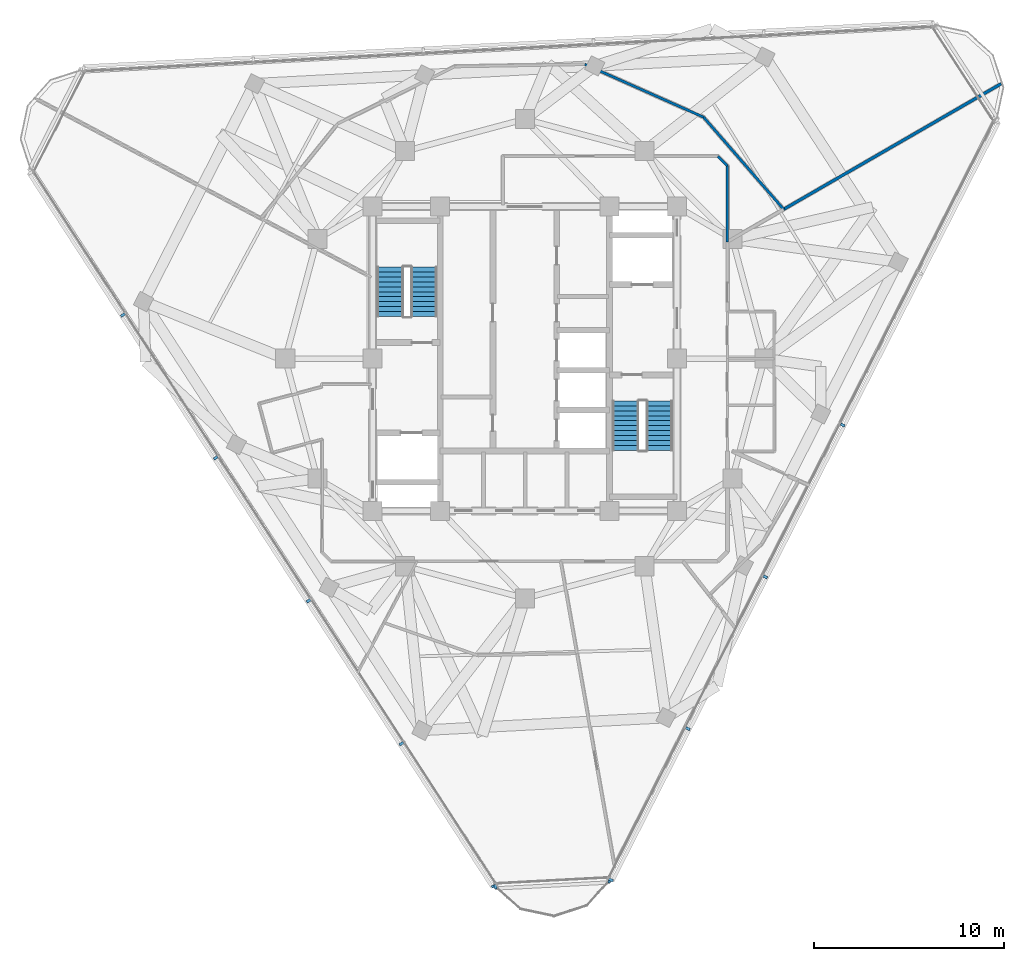
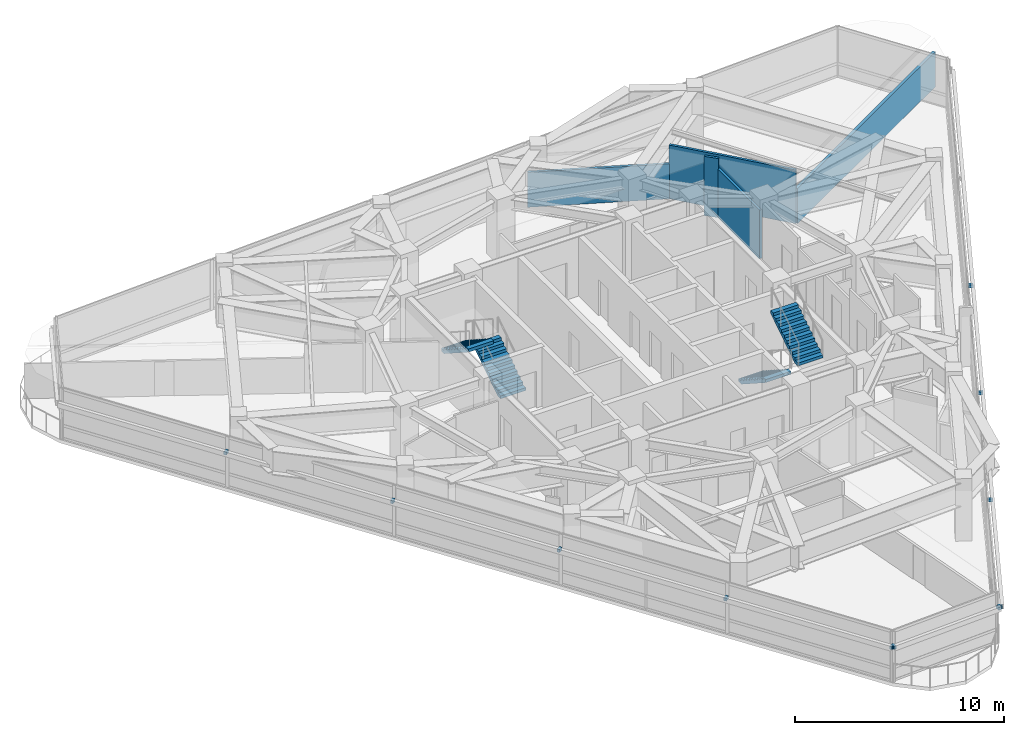
# One storey, part 10 of 15: 11 discrete accessories, 5 walls, 4 stair flights, 2 elements without a shape of their own.
"""IFC4 building model written with IfcOpenShell, lengths in metres."""

from ifc_helpers import new_model, si_unit, direction, frame, frame_2d, origin, origin_2d, place, context, subcontext, project, spatial, polyline, rectangle, outline, extrude, material, layer, layer_set, type_object, element, aggregate, save


model = new_model("IFC4")

# Units and contexts
model_context = context("Model", 3, precision=1e-05, world=origin(), true_north=direction((0.0, 1.0)))
body_context = subcontext(model_context, "Body", "Model", "MODEL_VIEW")
ifc_project = project(units=[si_unit("LENGTHUNIT", "METRE"), si_unit("AREAUNIT", "SQUARE_METRE"), si_unit("VOLUMEUNIT", "CUBIC_METRE"), si_unit("PLANEANGLEUNIT", "RADIAN"), si_unit("MASSUNIT", "GRAM", prefix="KILO")], contexts=[model_context])

# Site, building, storey
site_placement = place(None, origin())
site = spatial("IfcSite", under=ifc_project, at=site_placement, CompositionType="ELEMENT")
building_placement = place(site_placement, origin())
building = spatial("IfcBuilding", under=site, at=building_placement, Name="Terralouvre Media Tower", CompositionType="ELEMENT")
storey_placement = place(building_placement, frame((0.0, 0.0, 274.39990234375)))
storey = spatial("IfcBuildingStorey", under=building, at=storey_placement, Name="L71", CompositionType="ELEMENT", Elevation=274.39990234375)

# Walls
ifc_material_1 = material(Name="Fire-rated gypsum board drywall partition")
ifc_layer_1 = layer(ifc_material_1, 0.135009765625, Name="Newsroom Acoustic Partition PT-135")
ifc_layer_set_1 = layer_set([ifc_layer_1], Name="Fire-rated gypsum board drywall partition")
wall_type_1 = type_object("IfcWallType", Name="Newsroom Acoustic Partition PT-135", PredefinedType="PARTITIONING", material=ifc_layer_set_1)
wall_1_placement = place(storey_placement, frame((10.64990234375, 6.14892578125, 0.0), z_axis=(0.0, 0.0, 1.0), x_axis=(0.0, 1.0, 0.0)))
element("IfcWall", 1, at=wall_1_placement, inside=storey, type_object=wall_type_1, Name="L71 Interior Partition 017", PredefinedType="PARTITIONING", context=body_context, shape_type="SweptSolid", body=[
    extrude(rectangle(XDim=4.0009765625, YDim=0.135009765625, at=frame_2d((2.00048828125, 0.0))), origin(), (0.0, 0.0, 1.0), 2.84521484375),
])
wall_2_placement = place(storey_placement, frame((10.64990234375, 10.14990234375, 0.0), z_axis=(0.0, 0.0, 1.0), x_axis=(-0.707106781187, 0.707106781187, 0.0)))
element("IfcWall", 2, at=wall_2_placement, inside=storey, type_object=wall_type_1, Name="L71 Interior Partition 018", PredefinedType="PARTITIONING", context=body_context, shape_type="SweptSolid", body=[
    extrude(rectangle(XDim=0.70703125, YDim=0.135009765625, at=frame_2d((0.353515625, 0.0))), origin(), (0.0, 0.0, 1.0), 3.460205078125),
])
wall_3_placement = place(storey_placement, frame((3.14990234375, 15.48291015625, 0.0), z_axis=(0.0, 0.0, 1.0), x_axis=(0.913536073518, -0.406757719511, 0.0)))
element("IfcWall", 3, at=wall_3_placement, inside=storey, type_object=wall_type_1, Name="L71 Interior Partition 047", PredefinedType="PARTITIONING", context=body_context, shape_type="SweptSolid", body=[
    extrude(rectangle(XDim=6.83935546875, YDim=0.135009765625, at=frame_2d((3.419677734375, 0.0))), origin(), (0.0, 0.0, 1.0), 2.045166015625),
])
wall_4_placement = place(storey_placement, frame((9.39794921875, 12.700927734375, 0.0), z_axis=(0.0, 0.0, 1.0), x_axis=(0.656069468174, -0.754700505452, 0.0)))
element("IfcWall", 4, at=wall_4_placement, inside=storey, type_object=wall_type_1, Name="L71 Interior Partition 048", PredefinedType="PARTITIONING", context=body_context, shape_type="SweptSolid", body=[
    extrude(rectangle(XDim=6.41845703125, YDim=0.135009765625, at=frame_2d((3.209228515625, 0.0))), origin(), (0.0, 0.0, 1.0), 3.14501953125),
])
ifc_material_2 = material(Name="Fire-rated gypsum board drywall partition")
ifc_layer_2 = layer(ifc_material_2, 0.159912109375, Name="Studio Acoustic Rated Partition PT-160")
ifc_layer_set_2 = layer_set([ifc_layer_2], Name="Fire-rated gypsum board drywall partition")
wall_type_2 = type_object("IfcWallType", Name="Studio Acoustic Rated Partition PT-160", PredefinedType="PARTITIONING", material=ifc_layer_set_2)
wall_5_placement = place(storey_placement, frame((25.04248046875, 14.45849609375, 0.0), z_axis=(0.0, 0.0, 1.0), x_axis=(-0.866013134896, -0.500021249735, 0.0)))
element("IfcWall", 5, at=wall_5_placement, inside=storey, type_object=wall_type_2, Name="L71 Interior Partition 042", PredefinedType="PARTITIONING", context=body_context, shape_type="SweptSolid", body=[
    extrude(rectangle(XDim=13.20263671875, YDim=0.159912109375, at=frame_2d((6.601318359375, 0.0))), origin(), (0.0, 0.0, 1.0), 2.045166015625),
])

# Stair, stair flights
ifc_material_3 = material(Name="Concrete C45/55", Category="concrete")
stair_type_1 = type_object("IfcStairType", Name="Dogleg Stair Assembly ST-01", PredefinedType="HALF_TURN_STAIR", material=ifc_material_3)
stair_1_placement = place(storey_placement, origin())
stair_1 = element("IfcStair", 6, at=stair_1_placement, inside=storey, type_object=stair_type_1, Name="L71 Core Pressurised Exit Stair ST-01", PredefinedType="HALF_TURN_STAIR")
ifc_material_4 = material(Name="Concrete C45/55", Category="concrete")
stair_flight_type = type_object("IfcStairFlightType", Name="Reinforced Concrete Stair Flight SF-RC1", PredefinedType="STRAIGHT", material=ifc_material_4)
stair_flight_1_placement = place(storey_placement, frame((-5.300048828125, 2.219970703125, 0.0), z_axis=(0.0, 0.0, 1.0), x_axis=(0.0, 1.0, 0.0)))
stair_flight_1 = element("IfcStairFlight", 7, at=stair_flight_1_placement, type_object=stair_flight_type, Name="ST-01 flight 1", NumberOfRisers=11, NumberOfTreads=10, PredefinedType="STRAIGHT", RiserHeight=0.168181818, TreadLength=0.26, context=body_context, shape_type="SweptSolid", body=[
    extrude(outline(polyline([(0.0, 0.0), (0.0, 0.168212890625), (0.260009765625, 0.168212890625), (0.260009765625, 0.33642578125), (0.52001953125, 0.33642578125), (0.52001953125, 0.504638671875), (0.780029296875, 0.504638671875), (0.780029296875, 0.672607421875), (1.0400390625, 0.672607421875), (1.0400390625, 0.8408203125), (1.300048828125, 0.8408203125), (1.300048828125, 1.009033203125), (1.56005859375, 1.009033203125), (1.56005859375, 1.17724609375), (1.820068359375, 1.17724609375), (1.820068359375, 1.345458984375), (2.080078125, 1.345458984375), (2.080078125, 1.513671875), (2.340087890625, 1.513671875), (2.340087890625, 1.681884765625), (2.60009765625, 1.681884765625), (2.60009765625, 1.85009765625), (2.60009765625, 1.503173828125), (0.27587890625, 0.0), (0.0, 0.0)])), frame((0.0, 0.699951171875, 0.0), z_axis=(0.0, -1.0, 0.0), x_axis=(1.0, 0.0, 0.0)), (0.0, 0.0, 1.0), 1.39990234375),
])
stair_flight_2_placement = place(storey_placement, frame((-7.080078125, 4.820068359375, 1.85009765625), z_axis=(0.0, 0.0, 1.0), x_axis=(0.0, -1.0, 0.0)))
stair_flight_2 = element("IfcStairFlight", 8, at=stair_flight_2_placement, type_object=stair_flight_type, Name="ST-01 flight 2", NumberOfRisers=11, NumberOfTreads=10, PredefinedType="STRAIGHT", RiserHeight=0.168181818, TreadLength=0.26, context=body_context, shape_type="SweptSolid", body=[
    extrude(outline(polyline([(0.0, 0.0), (0.0, 0.168212890625), (0.260009765625, 0.168212890625), (0.260009765625, 0.33642578125), (0.52001953125, 0.33642578125), (0.52001953125, 0.504638671875), (0.780029296875, 0.504638671875), (0.780029296875, 0.672607421875), (1.0400390625, 0.672607421875), (1.0400390625, 0.8408203125), (1.300048828125, 0.8408203125), (1.300048828125, 1.009033203125), (1.56005859375, 1.009033203125), (1.56005859375, 1.17724609375), (1.820068359375, 1.17724609375), (1.820068359375, 1.345458984375), (2.080078125, 1.345458984375), (2.080078125, 1.513671875), (2.340087890625, 1.513671875), (2.340087890625, 1.681884765625), (2.60009765625, 1.681884765625), (2.60009765625, 1.85009765625), (2.60009765625, 1.503173828125), (0.27587890625, 0.0), (0.0, 0.0)])), frame((0.0, 0.699951171875, 0.0), z_axis=(0.0, -1.0, 0.0), x_axis=(1.0, 0.0, 0.0)), (0.0, 0.0, 1.0), 1.39990234375),
])
aggregate(stair_1, [stair_flight_1, stair_flight_2])

ifc_material_5 = material(Name="Concrete C45/55", Category="concrete")
stair_type_2 = type_object("IfcStairType", Name="Dogleg Stair Assembly ST-02", PredefinedType="HALF_TURN_STAIR", material=ifc_material_5)
stair_2_placement = place(storey_placement, origin())
stair_2 = element("IfcStair", 9, at=stair_2_placement, inside=storey, type_object=stair_type_2, Name="L71 Core Pressurised Exit Stair ST-02", PredefinedType="HALF_TURN_STAIR")
stair_flight_3_placement = place(storey_placement, frame((5.300048828125, -2.219970703125, 0.0), z_axis=(0.0, 0.0, 1.0), x_axis=(0.0, -1.0, 0.0)))
stair_flight_3 = element("IfcStairFlight", 10, at=stair_flight_3_placement, type_object=stair_flight_type, Name="ST-02 flight 1", NumberOfRisers=11, NumberOfTreads=10, PredefinedType="STRAIGHT", RiserHeight=0.168181818, TreadLength=0.26, context=body_context, shape_type="SweptSolid", body=[
    extrude(outline(polyline([(0.0, 0.0), (0.0, 0.168212890625), (0.260009765625, 0.168212890625), (0.260009765625, 0.33642578125), (0.52001953125, 0.33642578125), (0.52001953125, 0.504638671875), (0.780029296875, 0.504638671875), (0.780029296875, 0.672607421875), (1.0400390625, 0.672607421875), (1.0400390625, 0.8408203125), (1.300048828125, 0.8408203125), (1.300048828125, 1.009033203125), (1.56005859375, 1.009033203125), (1.56005859375, 1.17724609375), (1.820068359375, 1.17724609375), (1.820068359375, 1.345458984375), (2.080078125, 1.345458984375), (2.080078125, 1.513671875), (2.340087890625, 1.513671875), (2.340087890625, 1.681884765625), (2.60009765625, 1.681884765625), (2.60009765625, 1.85009765625), (2.60009765625, 1.503173828125), (0.27587890625, 0.0), (0.0, 0.0)])), frame((0.0, 0.699951171875, 0.0), z_axis=(0.0, -1.0, 0.0), x_axis=(1.0, 0.0, 0.0)), (0.0, 0.0, 1.0), 1.39990234375),
])
stair_flight_4_placement = place(storey_placement, frame((7.080078125, -4.820068359375, 1.85009765625), z_axis=(0.0, 0.0, 1.0), x_axis=(0.0, 1.0, 0.0)))
stair_flight_4 = element("IfcStairFlight", 11, at=stair_flight_4_placement, type_object=stair_flight_type, Name="ST-02 flight 2", NumberOfRisers=11, NumberOfTreads=10, PredefinedType="STRAIGHT", RiserHeight=0.168181818, TreadLength=0.26, context=body_context, shape_type="SweptSolid", body=[
    extrude(outline(polyline([(0.0, 0.0), (0.0, 0.168212890625), (0.260009765625, 0.168212890625), (0.260009765625, 0.33642578125), (0.52001953125, 0.33642578125), (0.52001953125, 0.504638671875), (0.780029296875, 0.504638671875), (0.780029296875, 0.672607421875), (1.0400390625, 0.672607421875), (1.0400390625, 0.8408203125), (1.300048828125, 0.8408203125), (1.300048828125, 1.009033203125), (1.56005859375, 1.009033203125), (1.56005859375, 1.17724609375), (1.820068359375, 1.17724609375), (1.820068359375, 1.345458984375), (2.080078125, 1.345458984375), (2.080078125, 1.513671875), (2.340087890625, 1.513671875), (2.340087890625, 1.681884765625), (2.60009765625, 1.681884765625), (2.60009765625, 1.85009765625), (2.60009765625, 1.503173828125), (0.27587890625, 0.0), (0.0, 0.0)])), frame((0.0, 0.699951171875, 0.0), z_axis=(0.0, -1.0, 0.0), x_axis=(1.0, 0.0, 0.0)), (0.0, 0.0, 1.0), 1.39990234375),
])
aggregate(stair_2, [stair_flight_3, stair_flight_4])

# Discrete accessories
ifc_material_6 = material(Name="Anodised extruded aluminium 6063-T6", Category="aluminium")
discrete_accessory_type = type_object("IfcDiscreteAccessoryType", Name="Mullion Stand-Off Baguette Fixing Bracket BK-01", PredefinedType="BRACKET", material=ifc_material_6)
for number, where, z_axis, x_axis, name in (
    (12, (4.52490234375, -27.403564453125, 2.04931640625), (0.0, 0.0, 1.0), (0.45399044259, 0.891006553308, 0.0), "CW-L71-F0 Baguette Outrigger Bracket 1.01"),
    (13, (8.57568359375, -19.45361328125, 2.04931640625), (0.0, 0.0, 1.0), (0.45399044259, 0.891006553308, 0.0), "CW-L71-F0 Baguette Outrigger Bracket 1.02"),
    (14, (12.643310546875, -11.47021484375, 2.04931640625), (0.0, 0.0, 1.0), (0.45399044259, 0.891006553308, 0.0), "CW-L71-F0 Baguette Outrigger Bracket 1.03"),
    (15, (16.711181640625, -3.48681640625, 2.04931640625), (0.0, 0.0, 1.0), (0.45399044259, 0.891006553308, 0.0), "CW-L71-F0 Baguette Outrigger Bracket 1.04"),
    (16, (-21.135009765625, 2.300048828125, 2.04931640625), (0.0, 0.0, 1.0), (0.544639069077, -0.838670545826, 0.0), "CW-L71-F2 Baguette Outrigger Bracket 1.02"),
    (17, (-16.255126953125, -5.21435546875, 2.04931640625), (0.0, 0.0, 1.0), (0.544639069077, -0.838670545826, 0.0), "CW-L71-F2 Baguette Outrigger Bracket 1.03"),
    (18, (-11.375244140625, -12.72900390625, 2.04931640625), (0.0, 0.0, 1.0), (0.544639069077, -0.838670545826, 0.0), "CW-L71-F2 Baguette Outrigger Bracket 1.04"),
    (19, (-6.4951171875, -20.243408203125, 2.04931640625), (0.0, 0.0, 1.0), (0.544639069077, -0.838670545826, 0.0), "CW-L71-F2 Baguette Outrigger Bracket 1.05"),
    (20, (-1.6357421875, -27.726318359375, 2.04931640625), (0.0, 0.0, 1.0), (0.544639069077, -0.838670545826, 0.0), "CW-L71-F2 Baguette Outrigger Bracket 1.06"),
    (21, (-1.543212890625, -27.754150390625, 2.04931640625), (0.0, 0.0, 1.0), (0.998629533744, 0.05233597552, 0.0), "CW-L71-C0 Baguette Outrigger Bracket 1.01"),
    (22, (4.435791015625, -27.440673828125, 2.04931640625), (0.0, 0.0, 1.0), (0.998629533744, 0.05233597552, 0.0), "CW-L71-C0 Baguette Outrigger Bracket 1.02"),
):
    element("IfcDiscreteAccessory", number, at=place(storey_placement, frame(where, z_axis=z_axis, x_axis=x_axis)), inside=storey, type_object=discrete_accessory_type, Name=name, PredefinedType="BRACKET", context=body_context, shape_type="SweptSolid", body=[
        extrude(rectangle(XDim=0.139892578125, YDim=0.239990234375, at=origin_2d()), origin(), (0.0, 0.0, 1.0), 0.179931640625),
    ])

save(model, "model.ifc")
